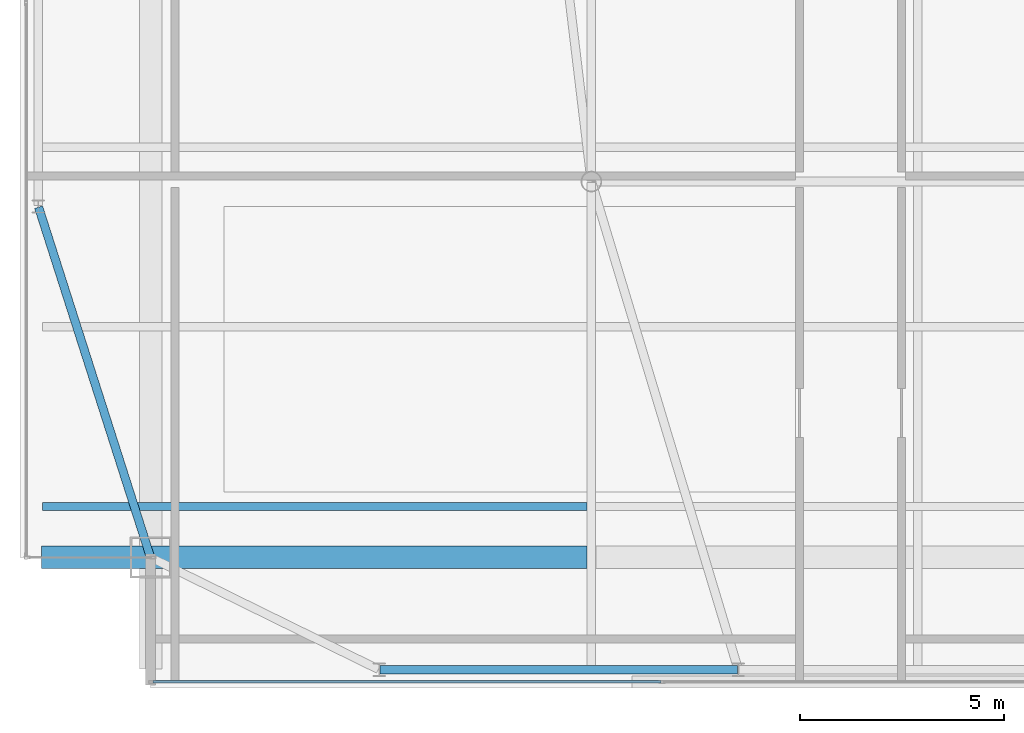
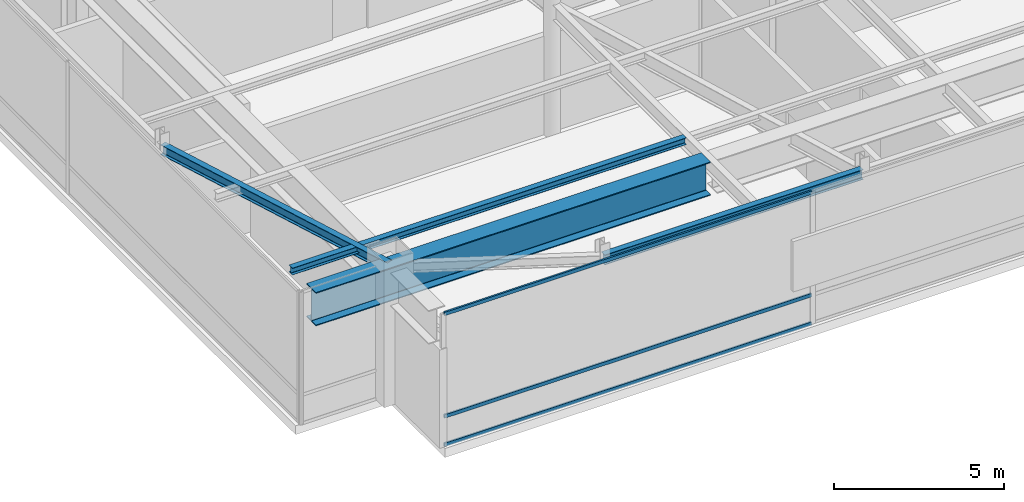
# One storey, part 5 of 20: 4 beams, 3 members, 1 element without a shape of its own.
"""IFC4 building model written with IfcOpenShell, lengths in metres."""

from ifc_helpers import new_model, si_unit, direction, frame, origin, origin_2d, place, context, subcontext, project, spatial, hollow_rectangle, i_section, extrude, source, transform, mapped, material, layer, layer_set, material_profile, profile_set, type_object, type_shapes, element, aggregate, save


model = new_model("IFC4")

# Units and contexts
model_context = context("Model", 3, precision=1e-05, world=origin(), true_north=direction((0.0, 1.0)))
body_context = subcontext(model_context, "Body", "Model", "MODEL_VIEW")
ifc_project = project(units=[si_unit("LENGTHUNIT", "METRE"), si_unit("AREAUNIT", "SQUARE_METRE"), si_unit("VOLUMEUNIT", "CUBIC_METRE"), si_unit("PLANEANGLEUNIT", "RADIAN"), si_unit("MASSUNIT", "GRAM", prefix="KILO")], contexts=[model_context])

# Site, building, storey
site_placement = place(None, origin())
site = spatial("IfcSite", under=ifc_project, at=site_placement, CompositionType="ELEMENT")
building_placement = place(site_placement, origin())
building = spatial("IfcBuilding", under=site, at=building_placement, Name="Varnel Quay Broadcast Tower", CompositionType="ELEMENT")
storey_placement = place(building_placement, frame((0.0, 0.0, 314.60009765625)))
storey = spatial("IfcBuildingStorey", under=building, at=storey_placement, Name="L78", CompositionType="ELEMENT", Elevation=314.60009765625)

# Beams
ifc_material_1 = material(Name="Structural Steel CSA G40.21 350W", Category="steel")
ifc_material_profile_1 = material_profile(ifc_material_1, i_section(OverallWidth=0.205078125, OverallDepth=0.35400390625, WebThickness=0.009521484375, FlangeThickness=0.016845703125, FilletRadius=0.012939453125, at=origin_2d()), Name="W360X79")
ifc_profile_set_1 = profile_set([ifc_material_profile_1], Name="Structural Steel CSA G40.21 350W")
beam_type_1 = type_object("IfcBeamType", Name="Beam_W360X79", PredefinedType="SPANDREL", material=ifc_profile_set_1)
shared_shape_1 = source(origin(), body_context, "Body", "SweptSolid", [
    extrude(i_section(OverallWidth=0.205078125, OverallDepth=0.35400390625, WebThickness=0.009521484375, FlangeThickness=0.016845703125, FilletRadius=0.012939453125, at=origin_2d()), origin(), (0.0, 0.0, 1.0), 8.760009765625),
])
beam_1_placement = place(storey_placement, frame((20.820068359375, 13.64990234375, 4.572998046875), z_axis=(1.0, 0.0, 0.0), x_axis=(0.0, 1.0, 0.0)))
element("IfcBeam", 1, at=beam_1_placement, inside=storey, type_object=beam_type_1, Name="L78 South Spandrel TC-S1-TC-S2", PredefinedType="SPANDREL", context=body_context, shape_type="MappedRepresentation", body=[
    mapped(shared_shape_1, transform((0.0, 0.0, 0.0), x_axis=(1.0, 0.0, 0.0), y_axis=(0.0, 1.0, 0.0), z_axis=(0.0, 0.0, 1.0), scale=1.0)),
])
shared_shape_2 = source(origin(), body_context, "Body", "SweptSolid", [
    extrude(i_section(OverallWidth=0.205078125, OverallDepth=0.35400390625, WebThickness=0.009521484375, FlangeThickness=0.016845703125, FilletRadius=0.012939453125, at=origin_2d()), origin(), (0.0, 0.0, 1.0), 8.989013671875),
])
type_shapes(beam_type_1, [shared_shape_1, shared_shape_2])
beam_2_placement = place(storey_placement, frame((15.19384765625, 16.4189453125, 4.572998046875), z_axis=(-0.304568770162, 0.952490348635, 0.0), x_axis=(-0.952490348635, -0.304568770162, 0.0)))
element("IfcBeam", 2, at=beam_2_placement, inside=storey, type_object=beam_type_1, Name="L78 West Spandrel MC-SW-TC-W1", PredefinedType="SPANDREL", context=body_context, shape_type="MappedRepresentation", body=[
    mapped(shared_shape_2, transform((0.0, 0.0, 0.0), x_axis=(1.0, 0.0, 0.0), y_axis=(0.0, 1.0, 0.0), z_axis=(0.0, 0.0, 1.0), scale=1.0)),
])
ifc_material_profile_2 = material_profile(ifc_material_1, i_section(OverallWidth=0.201904296875, OverallDepth=0.2470703125, WebThickness=0.00732421875, FlangeThickness=0.010986328125, FilletRadius=0.010986328125, at=origin_2d()), Name="W250X49")
ifc_profile_set_2 = profile_set([ifc_material_profile_2], Name="Structural Steel CSA G40.21 350W")
beam_type_2 = type_object("IfcBeamType", Name="Beam_W250X49", PredefinedType="JOIST", material=ifc_profile_set_2)
shared_shape_3 = source(origin(), body_context, "Body", "SweptSolid", [
    extrude(i_section(OverallWidth=0.201904296875, OverallDepth=0.2470703125, WebThickness=0.00732421875, FlangeThickness=0.010986328125, FilletRadius=0.010986328125, at=origin_2d()), origin(), (0.0, 0.0, 1.0), 13.351318359375),
])
type_shapes(beam_type_2, [shared_shape_3])
beam_3_placement = place(storey_placement, frame((12.547607421875, 17.64990234375, 4.62646484375), z_axis=(1.0, 0.0, 0.0), x_axis=(0.0, 1.0, 0.0)))
element("IfcBeam", 3, at=beam_3_placement, inside=storey, type_object=beam_type_2, Name="L78 West Floor Joist 1", PredefinedType="JOIST", context=body_context, shape_type="MappedRepresentation", body=[
    mapped(shared_shape_3, transform((0.0, 0.0, 0.0), x_axis=(1.0, 0.0, 0.0), y_axis=(0.0, 1.0, 0.0), z_axis=(0.0, 0.0, 1.0), scale=1.0)),
])
ifc_material_2 = material(Name="Structural Steel CSA G40.21 350WT", Category="steel")
ifc_material_profile_3 = material_profile(ifc_material_2, i_section(OverallWidth=0.550048828125, OverallDepth=1.199951171875, WebThickness=0.02001953125, FlangeThickness=0.034912109375, FilletRadius=0.02001953125, at=origin_2d()), Name="WWF1200X487")
ifc_profile_set_3 = profile_set([ifc_material_profile_3], Name="Structural Steel CSA G40.21 350WT")
beam_type_3 = type_object("IfcBeamType", Name="Girder_WWF1200X487", PredefinedType="BEAM", material=ifc_profile_set_3)
shared_shape_4 = source(origin(), body_context, "Body", "SweptSolid", [
    extrude(i_section(OverallWidth=0.550048828125, OverallDepth=1.199951171875, WebThickness=0.02001953125, FlangeThickness=0.034912109375, FilletRadius=0.02001953125, at=origin_2d()), origin(), (0.0, 0.0, 1.0), 13.35986328125),
])
type_shapes(beam_type_3, [shared_shape_4])
beam_4_placement = place(storey_placement, frame((12.530029296875, 16.39990234375, 4.14990234375), z_axis=(1.0, 0.0, 0.0), x_axis=(0.0, 1.0, 0.0)))
element("IfcBeam", 4, at=beam_4_placement, inside=storey, type_object=beam_type_3, Name="L78 Crown Ring Support S1", PredefinedType="BEAM", context=body_context, shape_type="MappedRepresentation", body=[
    mapped(shared_shape_4, transform((0.0, 0.0, 0.0), x_axis=(1.0, 0.0, 0.0), y_axis=(0.0, 1.0, 0.0), z_axis=(0.0, 0.0, 1.0), scale=1.0)),
])

# Curtain wall, members
ifc_material_3 = material(Name="Anodised Bronze Aluminium 6063-T6", Category="aluminium")
ifc_layer = layer(ifc_material_3, 0.18994140625, Name="Anodised Bronze Aluminium 6063-T6")
ifc_layer_set = layer_set([ifc_layer], Name="Anodised Bronze Aluminium 6063-T6")
curtain_wall_type = type_object("IfcCurtainWallType", Name="CW_UpperTower", PredefinedType="NOTDEFINED", material=ifc_layer_set)
curtain_wall_placement = place(storey_placement, origin())
curtain_wall = element("IfcCurtainWall", 5, at=curtain_wall_placement, inside=storey, type_object=curtain_wall_type, Name="L78 South Unitised Curtain Wall 1", PredefinedType="NOTDEFINED")
ifc_material_profile_4 = material_profile(ifc_material_3, hollow_rectangle(XDim=0.06005859375, YDim=0.125, WallThickness=0.0029296875, at=origin_2d()), Name="ALU60X125X3")
ifc_profile_set_4 = profile_set([ifc_material_profile_4], Name="Anodised Bronze Aluminium 6063-T6")
member_type = type_object("IfcMemberType", Name="Tran_CWS-03", PredefinedType="USERDEFINED", material=ifc_profile_set_4)
shared_shape_5 = source(origin(), body_context, "Body", "SweptSolid", [
    extrude(hollow_rectangle(XDim=0.06005859375, YDim=0.125, WallThickness=0.0029296875, at=origin_2d()), origin(), (0.0, 0.0, 1.0), 12.43603515625),
])
type_shapes(member_type, [shared_shape_5])
member_1_placement = place(storey_placement, frame((15.264892578125, 13.35009765625, 0.02978515625), z_axis=(1.0, 0.0, 0.0), x_axis=(0.0, 1.0, 0.0)))
member_1 = element("IfcMember", 6, at=member_1_placement, type_object=member_type, Name="CWS-03 transom 1.1", ObjectType="TRANSOM", PredefinedType="USERDEFINED", context=body_context, shape_type="MappedRepresentation", body=[
    mapped(shared_shape_5, transform((0.0, 0.0, 0.0), x_axis=(1.0, 0.0, 0.0), y_axis=(0.0, 1.0, 0.0), z_axis=(0.0, 0.0, 1.0), scale=1.0)),
])
member_2_placement = place(storey_placement, frame((15.264892578125, 13.35009765625, 1.0498046875), z_axis=(1.0, 0.0, 0.0), x_axis=(0.0, 1.0, 0.0)))
member_2 = element("IfcMember", 7, at=member_2_placement, type_object=member_type, Name="CWS-03 transom 1.2", ObjectType="TRANSOM", PredefinedType="USERDEFINED", context=body_context, shape_type="MappedRepresentation", body=[
    mapped(shared_shape_5, transform((0.0, 0.0, 0.0), x_axis=(1.0, 0.0, 0.0), y_axis=(0.0, 1.0, 0.0), z_axis=(0.0, 0.0, 1.0), scale=1.0)),
])
member_3_placement = place(storey_placement, frame((15.264892578125, 13.35009765625, 4.719970703125), z_axis=(1.0, 0.0, 0.0), x_axis=(0.0, 1.0, 0.0)))
member_3 = element("IfcMember", 8, at=member_3_placement, type_object=member_type, Name="CWS-03 transom 1.3", ObjectType="TRANSOM", PredefinedType="USERDEFINED", context=body_context, shape_type="MappedRepresentation", body=[
    mapped(shared_shape_5, transform((0.0, 0.0, 0.0), x_axis=(1.0, 0.0, 0.0), y_axis=(0.0, 1.0, 0.0), z_axis=(0.0, 0.0, 1.0), scale=1.0)),
])
aggregate(curtain_wall, [member_1, member_2, member_3])

save(model, "model.ifc")
